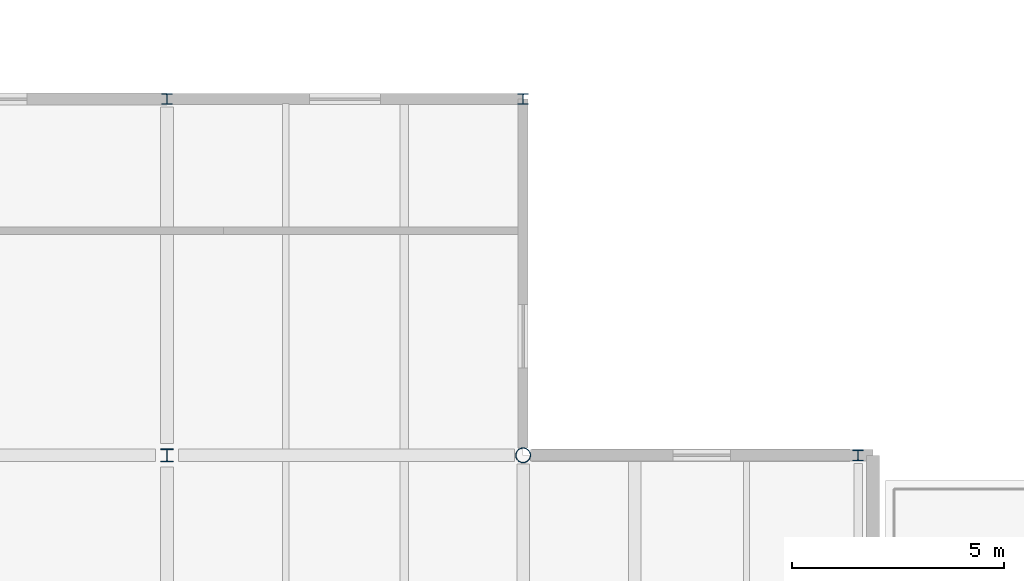
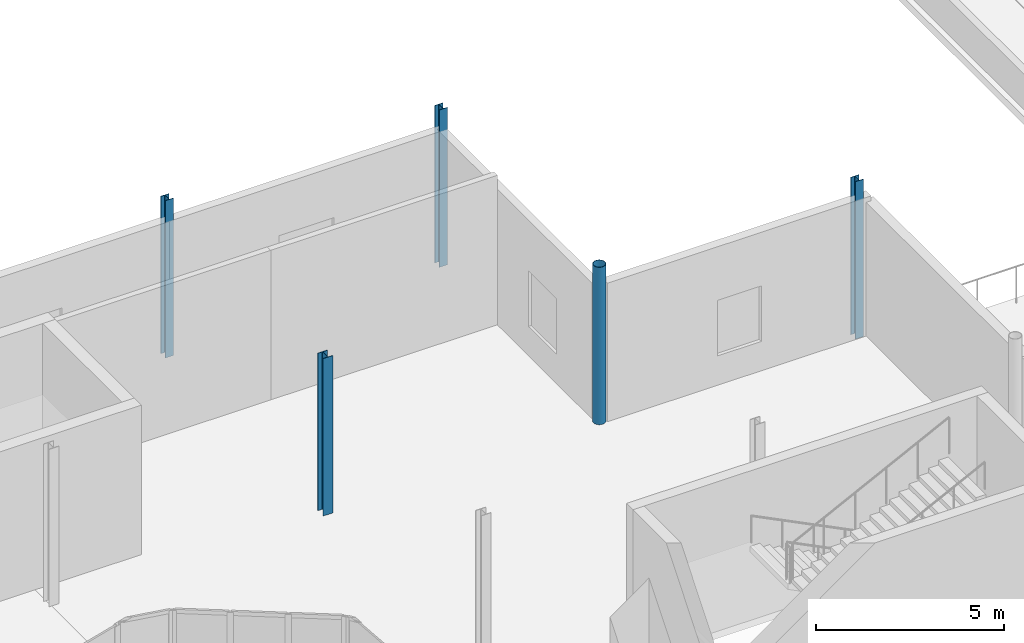
# One storey, part 10 of 91: 5 columns.
"""IFC4 building model written with IfcOpenShell, lengths in metres."""

import ifcopenshell
import ifcopenshell.guid

model = None  # the IFC model being written
_history = None  # IfcOwnerHistory: only IFC2X3 demands one
_inside = {}  # id of a spatial element -> (the spatial element, [elements in it])
_under = {}  # id of a project, library or spatial element -> (it, [spatial elements below it])
_declared = {}  # id of a project -> (the project, [libraries it declares])
_typed = {}  # id of a type object -> (the type object, [elements of that type])
_made_of = {}  # id of a material, layer set ... -> (it, [elements and type objects made of it])


def new_model(schema):
    """Start an empty IFC model of exactly this schema.

    Asked for "IFC4X3", IfcOpenShell would pick the latest addendum, in which some entities
    have other attributes; the version numbers below select the first issue.
    IFC2X3 requires an IfcOwnerHistory on every rooted entity: one is made here for all.
    """
    global model, _history
    if schema == "IFC4X3":
        model = ifcopenshell.file(schema_version=(4, 3, 0, 0))
    else:
        model = ifcopenshell.file(schema=schema)
    _inside.clear()
    _under.clear()
    _declared.clear()
    _typed.clear()
    _made_of.clear()
    _history = None
    if model.schema == "IFC2X3":
        org = make("IfcOrganization", Name="unknown")
        user = make(
            "IfcPersonAndOrganization",
            ThePerson=make("IfcPerson", FamilyName="unknown"),
            TheOrganization=org,
        )
        app = make(
            "IfcApplication",
            ApplicationDeveloper=org,
            Version="unknown",
            ApplicationFullName="unknown",
            ApplicationIdentifier="unknown",
        )
        _history = make(
            "IfcOwnerHistory",
            OwningUser=user,
            OwningApplication=app,
            ChangeAction="ADDED",
            CreationDate=0,
        )
    return model


def make(cls, **values):
    """One entity of the class cls with the attributes given. An attribute that is None is left unset."""
    return model.create_entity(
        cls, **{name: value for name, value in values.items() if value is not None}
    )


def rooted(cls, **values):
    """An entity with a GlobalId (a new one), such as an element, a storey or a relation."""
    return make(cls, GlobalId=ifcopenshell.guid.new(), OwnerHistory=_history, **values)


def si_unit(unit_type, name, prefix=None):
    """IfcSIUnit, for example si_unit("LENGTHUNIT", "METRE", prefix="MILLI")."""
    return make("IfcSIUnit", UnitType=unit_type, Prefix=prefix, Name=name)


def assignment(units):
    """IfcUnitAssignment: the units of a project."""
    return None if units is None else make("IfcUnitAssignment", Units=units)


def point(xyz):
    """IfcCartesianPoint."""
    return None if xyz is None else make("IfcCartesianPoint", Coordinates=xyz)


def direction(xyz):
    """IfcDirection."""
    return None if xyz is None else make("IfcDirection", DirectionRatios=xyz)


def frame(location, z_axis=None, x_axis=None):
    """IfcAxis2Placement3D, a coordinate frame: its origin and axes. An axis left out is left unset."""
    return make(
        "IfcAxis2Placement3D",
        Location=point(location),
        Axis=direction(z_axis),
        RefDirection=direction(x_axis),
    )


def frame_2d(location, x_axis=None):
    """IfcAxis2Placement2D, a coordinate frame in the plane: its origin and x axis."""
    return make(
        "IfcAxis2Placement2D", Location=point(location), RefDirection=direction(x_axis)
    )


def origin():
    """The frame at (0, 0, 0) with its axes left unset."""
    return frame((0.0, 0.0, 0.0))


def origin_2d():
    """The frame at (0, 0) in the plane with its x axis left unset."""
    return frame_2d((0.0, 0.0))


def place(relative_to, where):
    """IfcLocalPlacement: puts the frame where relative to a parent placement (None: the world)."""
    return make(
        "IfcLocalPlacement", PlacementRelTo=relative_to, RelativePlacement=where
    )


def context(
    kind, dimensions, precision=None, world=None, true_north=None, identifier=None
):
    """IfcGeometricRepresentationContext, for example the 3D "Model" context."""
    return make(
        "IfcGeometricRepresentationContext",
        ContextIdentifier=identifier,
        ContextType=kind,
        CoordinateSpaceDimension=dimensions,
        Precision=precision,
        WorldCoordinateSystem=world,
        TrueNorth=true_north,
    )


def subcontext(parent, identifier, kind, view, scale=None):
    """IfcGeometricRepresentationSubContext, for example "Body" below "Model"."""
    return make(
        "IfcGeometricRepresentationSubContext",
        ContextIdentifier=identifier,
        ContextType=kind,
        ParentContext=parent,
        TargetScale=scale,
        TargetView=view,
    )


def project(units=None, contexts=None):
    """IfcProject with its units and contexts."""
    return rooted(
        "IfcProject",
        Name="project",
        RepresentationContexts=contexts,
        UnitsInContext=assignment(units),
    )


def spatial(cls, under=None, at=None, **own):
    """A site, building, storey or space (cls), placed at a placement, below another one or the project."""
    s = rooted(cls, ObjectPlacement=at, **own)
    if under is not None:
        _under.setdefault(under.id(), (under, []))[1].append(s)
    return s


def profile(cls, at=None, kind="AREA", **sizes):
    """A parametric profile (cls). Its sizes go by their IFC names, for example OverallWidth=200.0."""
    return make(cls, ProfileType=kind, Position=at, **sizes)


def hollow_circle(**sizes):
    """IfcCircleHollowProfileDef."""
    return profile("IfcCircleHollowProfileDef", **sizes)


def i_section(**sizes):
    """IfcIShapeProfileDef."""
    return profile("IfcIShapeProfileDef", **sizes)


def extrude(swept, where, along, depth):
    """IfcExtrudedAreaSolid: the profile swept, set in the frame where, extruded along a direction by depth."""
    return make(
        "IfcExtrudedAreaSolid",
        SweptArea=swept,
        Position=where,
        ExtrudedDirection=direction(along),
        Depth=depth,
    )


def shape(context_of_items, identifier, shape_type, items):
    """IfcShapeRepresentation: the items that make up one representation, for example the "Body"."""
    return make(
        "IfcShapeRepresentation",
        ContextOfItems=context_of_items,
        RepresentationIdentifier=identifier,
        RepresentationType=shape_type,
        Items=items,
    )


def material(Name=None, Category=None):
    """IfcMaterial."""
    return make("IfcMaterial", Name=Name, Category=Category)


def material_profile(
    of_material, cross_section, Name=None, Category=None, Priority=None
):
    """IfcMaterialProfile: a cross section and its material."""
    return make(
        "IfcMaterialProfile",
        Name=Name,
        Material=of_material,
        Profile=cross_section,
        Priority=Priority,
        Category=Category,
    )


def profile_set(profiles, Name=None, composite=None):
    """IfcMaterialProfileSet."""
    return make(
        "IfcMaterialProfileSet",
        Name=Name,
        MaterialProfiles=profiles,
        CompositeProfile=composite,
    )


def made_of(thing, what):
    """Note that an element or type object is made of a material, layer set ...; save() writes the relation."""
    if what is not None:
        _made_of.setdefault(what.id(), (what, []))[1].append(thing)
    return thing


def type_object(cls, material=None, **own):
    """A type object (cls), such as IfcWallType, which elements share."""
    return made_of(rooted(cls, **own), material)


def element(
    cls,
    number,
    at=None,
    inside=None,
    cuts=None,
    type_object=None,
    material=None,
    context=None,
    identifier="Body",
    shape_type=None,
    held_by="IfcProductDefinitionShape",
    body=None,
    shapes=None,
    **own,
):
    """One element of the class cls, such as IfcWall. Its Tag is "e" and its number.

    at: its placement. inside: the storey or other place that contains it. cuts: it is an
    opening in that element (IfcRelVoidsElement). A single representation is given by context,
    identifier, shape_type and body (its items); several are given by shapes. held_by: the class
    of the entity that holds the representations. save() writes the other relations.
    """
    e = rooted(cls, Tag="e%d" % number, ObjectPlacement=at, **own)
    if body is not None:
        shapes = [shape(context, identifier, shape_type, body)]
    if shapes is not None:
        e.Representation = make(held_by, Representations=shapes)
    if inside is not None:
        _inside.setdefault(inside.id(), (inside, []))[1].append(e)
    if cuts is not None:
        rooted(
            "IfcRelVoidsElement", RelatingBuildingElement=cuts, RelatedOpeningElement=e
        )
    if type_object is not None:
        _typed.setdefault(type_object.id(), (type_object, []))[1].append(e)
    return made_of(e, material)


def aggregate(whole, parts):
    """IfcRelAggregates: a whole, such as a stair, and the parts it consists of."""
    return rooted("IfcRelAggregates", RelatingObject=whole, RelatedObjects=parts)


def save(model, path):
    """Write the relations noted so far, then the file.

    IfcRelAggregates (storeys below a building ...), IfcRelContainedInSpatialStructure (elements
    in a storey), IfcRelDefinesByType, IfcRelAssociatesMaterial and IfcRelDeclares: one each for
    every whole, place, type object, material and project.
    """
    for whole, parts in _under.values():
        aggregate(whole, parts)
    for where, things in _inside.values():
        rooted(
            "IfcRelContainedInSpatialStructure",
            RelatedElements=things,
            RelatingStructure=where,
        )
    for kind, things in _typed.values():
        rooted("IfcRelDefinesByType", RelatedObjects=things, RelatingType=kind)
    for what, things in _made_of.values():
        rooted("IfcRelAssociatesMaterial", RelatedObjects=things, RelatingMaterial=what)
    for by, libraries in _declared.values():
        rooted("IfcRelDeclares", RelatingContext=by, RelatedDefinitions=libraries)
    model.write(path)


model = new_model("IFC4")

# Units and contexts
model_context = context("Model", 3, precision=1e-05, world=origin(), true_north=direction((0.0, 1.0)))
body_context = subcontext(model_context, "Body", "Model", "MODEL_VIEW")
ifc_project = project(units=[si_unit("LENGTHUNIT", "METRE"), si_unit("AREAUNIT", "SQUARE_METRE"), si_unit("VOLUMEUNIT", "CUBIC_METRE"), si_unit("PLANEANGLEUNIT", "RADIAN"), si_unit("MASSUNIT", "GRAM", prefix="KILO"), si_unit("THERMODYNAMICTEMPERATUREUNIT", "KELVIN")], contexts=[model_context])

# Site, building, storey
site_placement = place(None, origin())
site = spatial("IfcSite", under=ifc_project, at=site_placement, CompositionType="ELEMENT")
building_placement = place(site_placement, origin())
building = spatial("IfcBuilding", under=site, at=building_placement, Name="Lustrewick Department Store", CompositionType="ELEMENT")
storey_placement = place(building_placement, frame((0.0, 0.0, 21.60009765625)))
storey = spatial("IfcBuildingStorey", under=building, at=storey_placement, Name="L05", CompositionType="ELEMENT", Elevation=21.60009765625)

# Columns
ifc_material = material(Name="Structural steel Q355B", Category="steel")
ifc_material_profile_1 = material_profile(ifc_material, i_section(OverallWidth=0.300048828125, OverallDepth=0.300048828125, WebThickness=0.010009765625, FlangeThickness=0.014892578125, FilletRadius=0.01806640625, at=origin_2d()), Name="HW 300x300x10x15")
ifc_profile_set_1 = profile_set([ifc_material_profile_1], Name="Structural steel Q355B")
column_type_1 = type_object("IfcColumnType", Name="C15", PredefinedType="COLUMN", material=ifc_profile_set_1)
column_1_placement = place(storey_placement, frame((42.0, 84.0, 0.0), z_axis=(0.0, 0.0, 1.0), x_axis=(1.0, 0.0, 0.0)))
element("IfcColumn", 1, at=column_1_placement, inside=storey, type_object=column_type_1, Name="L05 V1 Column C15", PredefinedType="COLUMN", context=body_context, shape_type="SweptSolid", body=[
    extrude(i_section(OverallWidth=0.300048828125, OverallDepth=0.300048828125, WebThickness=0.010009765625, FlangeThickness=0.014892578125, FilletRadius=0.01806640625, at=origin_2d()), origin(), (0.0, 0.0, 1.0), 5.099853515625),
])
ifc_material_profile_2 = material_profile(ifc_material, hollow_circle(Radius=0.177978515625, WallThickness=0.013916015625, at=origin_2d()), Name="CHS 356x14")
ifc_profile_set_2 = profile_set([ifc_material_profile_2], Name="Structural steel Q355B")
column_type_2 = type_object("IfcColumnType", Name="CE05", PredefinedType="COLUMN", material=ifc_profile_set_2)
column_2_placement = place(storey_placement, frame((50.39990234375, 84.0, 0.0), z_axis=(0.0, 0.0, 1.0), x_axis=(1.0, 0.0, 0.0)))
element("IfcColumn", 2, at=column_2_placement, inside=storey, type_object=column_type_2, Name="L05 V1 Column CE05", PredefinedType="COLUMN", context=body_context, shape_type="SweptSolid", body=[
    extrude(hollow_circle(Radius=0.177978515625, WallThickness=0.013916015625, at=origin_2d()), origin(), (0.0, 0.0, 1.0), 5.099853515625),
])
ifc_material_profile_3 = material_profile(ifc_material, i_section(OverallWidth=0.25, OverallDepth=0.25, WebThickness=0.009033203125, FlangeThickness=0.013916015625, FilletRadius=0.01611328125, at=origin_2d()), Name="HW 250x250x9x14")
ifc_profile_set_3 = profile_set([ifc_material_profile_3], Name="Structural steel Q355B")
column_type_3 = type_object("IfcColumnType", Name="CE08", PredefinedType="COLUMN", material=ifc_profile_set_3)
for number, where, z_axis, x_axis, name in (
    (3, (42.0, 92.39990234375, 0.0), (0.0, 0.0, 1.0), (1.0, 0.0, 0.0), "L05 V1 Column CE08"),
    (4, (50.39990234375, 92.39990234375, 0.0), (0.0, 0.0, 1.0), (1.0, 0.0, 0.0), "L05 V1 Column CE08"),
    (5, (58.300048828125, 84.0, 0.0), (0.0, 0.0, 1.0), (1.0, 0.0, 0.0), "L05 V1 Column CE08"),
):
    element("IfcColumn", number, at=place(storey_placement, frame(where, z_axis=z_axis, x_axis=x_axis)), inside=storey, type_object=column_type_3, Name=name, PredefinedType="COLUMN", context=body_context, shape_type="SweptSolid", body=[
        extrude(i_section(OverallWidth=0.25, OverallDepth=0.25, WebThickness=0.009033203125, FlangeThickness=0.013916015625, FilletRadius=0.01611328125, at=origin_2d()), origin(), (0.0, 0.0, 1.0), 5.099853515625),
    ])

save(model, "model.ifc")
